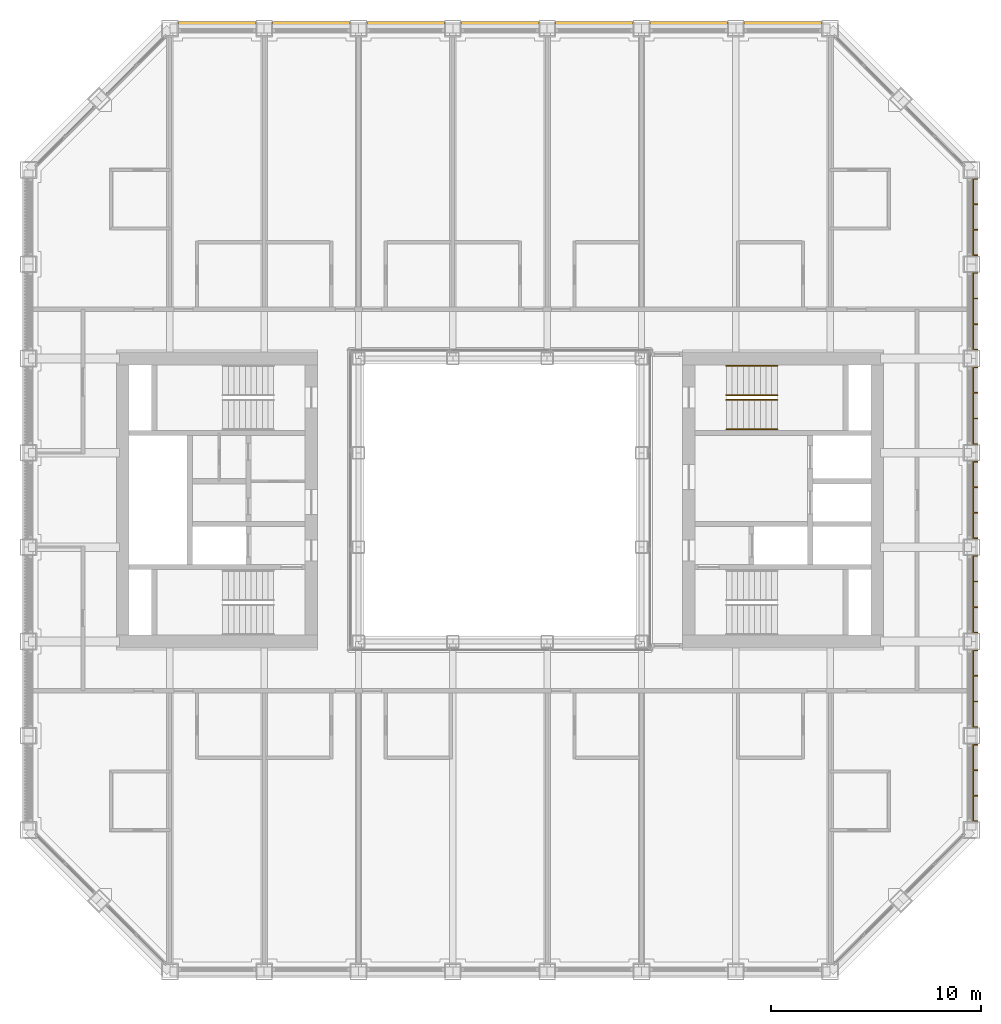
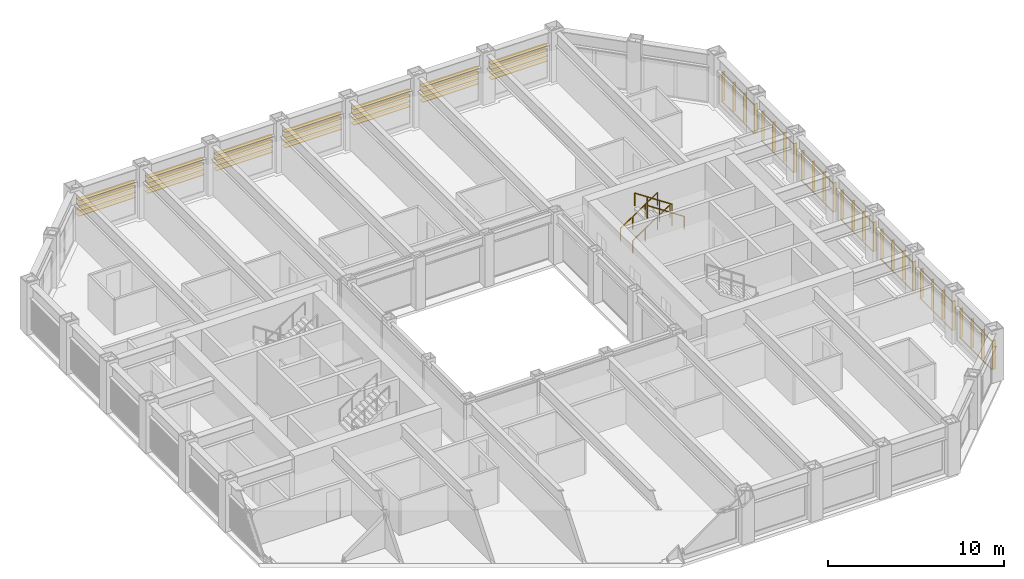
# One storey, part 17 of 17: 4 railings, 2 shading devices.
"""IFC4 building model written with IfcOpenShell, lengths in metres."""

from ifc_helpers import new_model, si_unit, direction, frame, origin, origin_2d, place, context, subcontext, project, spatial, rectangle, circle, extrude, material, type_object, element, save


model = new_model("IFC4")

# Units and contexts
model_context = context("Model", 3, precision=1e-05, world=origin(), true_north=direction((0.0, 1.0)))
body_context = subcontext(model_context, "Body", "Model", "MODEL_VIEW")
ifc_project = project(units=[si_unit("LENGTHUNIT", "METRE"), si_unit("AREAUNIT", "SQUARE_METRE"), si_unit("VOLUMEUNIT", "CUBIC_METRE"), si_unit("PLANEANGLEUNIT", "RADIAN"), si_unit("MASSUNIT", "GRAM", prefix="KILO")], contexts=[model_context])

# Site, building, storey
site_placement = place(None, origin())
site = spatial("IfcSite", under=ifc_project, at=site_placement, CompositionType="ELEMENT")
building_placement = place(site_placement, origin())
building = spatial("IfcBuilding", under=site, at=building_placement, Name="Msasa Ring Tower", CompositionType="ELEMENT")
storey_placement = place(building_placement, frame((0.0, 0.0, 147.199951171875)))
storey = spatial("IfcBuildingStorey", under=building, at=storey_placement, Name="L38", CompositionType="ELEMENT", Elevation=147.199951171875)

# Shading device
ifc_material_1 = material(Name="Extruded terracotta on aluminium carriers", Category="masonry")
shading_device_type_1 = type_object("IfcShadingDeviceType", Name="BS2 TERRACOTTA FIN SCREEN 40x200 AT 1350", PredefinedType="USERDEFINED", material=ifc_material_1)
shading_device_1_placement = place(storey_placement, origin())
element("IfcShadingDevice", 1, at=shading_device_1_placement, inside=storey, type_object=shading_device_type_1, Name="Terracotta fin screen E L38", ObjectType="BAGUETTE", PredefinedType="USERDEFINED", context=body_context, shape_type="SweptSolid", body=[
    extrude(rectangle(XDim=0.06005859375, YDim=0.0400390625, at=origin_2d()), frame((22.580078125, -15.35009765625, 0.330078125), z_axis=(0.0, 1.0, 0.0), x_axis=(0.0, 0.0, 1.0)), (0.0, 0.0, 1.0), 3.699951171875),
    extrude(rectangle(XDim=0.06005859375, YDim=0.0400390625, at=origin_2d()), frame((22.580078125, -15.35009765625, 2.299072265625), z_axis=(0.0, 1.0, 0.0), x_axis=(0.0, 0.0, 1.0)), (0.0, 0.0, 1.0), 3.699951171875),
    extrude(rectangle(XDim=0.0400390625, YDim=0.199951171875, at=origin_2d()), frame((22.695068359375, -15.330078125, 0.300048828125), z_axis=(0.0, 0.0, 1.0), x_axis=(0.0, 1.0, 0.0)), (0.0, 0.0, 1.0), 2.029052734375),
    extrude(rectangle(XDim=0.0400390625, YDim=0.199951171875, at=origin_2d()), frame((22.695068359375, -14.110107421875, 0.300048828125), z_axis=(0.0, 0.0, 1.0), x_axis=(0.0, 1.0, 0.0)), (0.0, 0.0, 1.0), 2.029052734375),
    extrude(rectangle(XDim=0.0400390625, YDim=0.199951171875, at=origin_2d()), frame((22.695068359375, -12.889892578125, 0.300048828125), z_axis=(0.0, 0.0, 1.0), x_axis=(0.0, 1.0, 0.0)), (0.0, 0.0, 1.0), 2.029052734375),
    extrude(rectangle(XDim=0.0400390625, YDim=0.199951171875, at=origin_2d()), frame((22.695068359375, -11.669921875, 0.300048828125), z_axis=(0.0, 0.0, 1.0), x_axis=(0.0, 1.0, 0.0)), (0.0, 0.0, 1.0), 2.029052734375),
    extrude(rectangle(XDim=0.06005859375, YDim=0.0400390625, at=origin_2d()), frame((22.580078125, -10.85009765625, 0.330078125), z_axis=(0.0, 1.0, 0.0), x_axis=(0.0, 0.0, 1.0)), (0.0, 0.0, 1.0), 3.699951171875),
    extrude(rectangle(XDim=0.06005859375, YDim=0.0400390625, at=origin_2d()), frame((22.580078125, -10.85009765625, 2.299072265625), z_axis=(0.0, 1.0, 0.0), x_axis=(0.0, 0.0, 1.0)), (0.0, 0.0, 1.0), 3.699951171875),
    extrude(rectangle(XDim=0.0400390625, YDim=0.199951171875, at=origin_2d()), frame((22.695068359375, -10.830078125, 0.300048828125), z_axis=(0.0, 0.0, 1.0), x_axis=(0.0, 1.0, 0.0)), (0.0, 0.0, 1.0), 2.029052734375),
    extrude(rectangle(XDim=0.0400390625, YDim=0.199951171875, at=origin_2d()), frame((22.695068359375, -9.610107421875, 0.300048828125), z_axis=(0.0, 0.0, 1.0), x_axis=(0.0, 1.0, 0.0)), (0.0, 0.0, 1.0), 2.029052734375),
    extrude(rectangle(XDim=0.0400390625, YDim=0.199951171875, at=origin_2d()), frame((22.695068359375, -8.389892578125, 0.300048828125), z_axis=(0.0, 0.0, 1.0), x_axis=(0.0, 1.0, 0.0)), (0.0, 0.0, 1.0), 2.029052734375),
    extrude(rectangle(XDim=0.0400390625, YDim=0.199951171875, at=origin_2d()), frame((22.695068359375, -7.169921875, 0.300048828125), z_axis=(0.0, 0.0, 1.0), x_axis=(0.0, 1.0, 0.0)), (0.0, 0.0, 1.0), 2.029052734375),
    extrude(rectangle(XDim=0.06005859375, YDim=0.0400390625, at=origin_2d()), frame((22.580078125, -6.35009765625, 0.330078125), z_axis=(0.0, 1.0, 0.0), x_axis=(0.0, 0.0, 1.0)), (0.0, 0.0, 1.0), 3.699951171875),
    extrude(rectangle(XDim=0.06005859375, YDim=0.0400390625, at=origin_2d()), frame((22.580078125, -6.35009765625, 2.299072265625), z_axis=(0.0, 1.0, 0.0), x_axis=(0.0, 0.0, 1.0)), (0.0, 0.0, 1.0), 3.699951171875),
    extrude(rectangle(XDim=0.0400390625, YDim=0.199951171875, at=origin_2d()), frame((22.695068359375, -6.330078125, 0.300048828125), z_axis=(0.0, 0.0, 1.0), x_axis=(0.0, 1.0, 0.0)), (0.0, 0.0, 1.0), 2.029052734375),
    extrude(rectangle(XDim=0.0400390625, YDim=0.199951171875, at=origin_2d()), frame((22.695068359375, -5.110107421875, 0.300048828125), z_axis=(0.0, 0.0, 1.0), x_axis=(0.0, 1.0, 0.0)), (0.0, 0.0, 1.0), 2.029052734375),
    extrude(rectangle(XDim=0.0400390625, YDim=0.199951171875, at=origin_2d()), frame((22.695068359375, -3.889892578125, 0.300048828125), z_axis=(0.0, 0.0, 1.0), x_axis=(0.0, 1.0, 0.0)), (0.0, 0.0, 1.0), 2.029052734375),
    extrude(rectangle(XDim=0.0400390625, YDim=0.199951171875, at=origin_2d()), frame((22.695068359375, -2.669921875, 0.300048828125), z_axis=(0.0, 0.0, 1.0), x_axis=(0.0, 1.0, 0.0)), (0.0, 0.0, 1.0), 2.029052734375),
    extrude(rectangle(XDim=0.06005859375, YDim=0.0400390625, at=origin_2d()), frame((22.580078125, -1.85009765625, 0.330078125), z_axis=(0.0, 1.0, 0.0), x_axis=(0.0, 0.0, 1.0)), (0.0, 0.0, 1.0), 3.699951171875),
    extrude(rectangle(XDim=0.06005859375, YDim=0.0400390625, at=origin_2d()), frame((22.580078125, -1.85009765625, 2.299072265625), z_axis=(0.0, 1.0, 0.0), x_axis=(0.0, 0.0, 1.0)), (0.0, 0.0, 1.0), 3.699951171875),
    extrude(rectangle(XDim=0.0400390625, YDim=0.199951171875, at=origin_2d()), frame((22.695068359375, -1.830078125, 0.300048828125), z_axis=(0.0, 0.0, 1.0), x_axis=(0.0, 1.0, 0.0)), (0.0, 0.0, 1.0), 2.029052734375),
    extrude(rectangle(XDim=0.0400390625, YDim=0.199951171875, at=origin_2d()), frame((22.695068359375, -0.610107421875, 0.300048828125), z_axis=(0.0, 0.0, 1.0), x_axis=(0.0, 1.0, 0.0)), (0.0, 0.0, 1.0), 2.029052734375),
    extrude(rectangle(XDim=0.0400390625, YDim=0.199951171875, at=origin_2d()), frame((22.695068359375, 0.610107421875, 0.300048828125), z_axis=(0.0, 0.0, 1.0), x_axis=(0.0, 1.0, 0.0)), (0.0, 0.0, 1.0), 2.029052734375),
    extrude(rectangle(XDim=0.0400390625, YDim=0.199951171875, at=origin_2d()), frame((22.695068359375, 1.830078125, 0.300048828125), z_axis=(0.0, 0.0, 1.0), x_axis=(0.0, 1.0, 0.0)), (0.0, 0.0, 1.0), 2.029052734375),
    extrude(rectangle(XDim=0.06005859375, YDim=0.0400390625, at=origin_2d()), frame((22.580078125, 2.64990234375, 0.330078125), z_axis=(0.0, 1.0, 0.0), x_axis=(0.0, 0.0, 1.0)), (0.0, 0.0, 1.0), 3.699951171875),
    extrude(rectangle(XDim=0.06005859375, YDim=0.0400390625, at=origin_2d()), frame((22.580078125, 2.64990234375, 2.299072265625), z_axis=(0.0, 1.0, 0.0), x_axis=(0.0, 0.0, 1.0)), (0.0, 0.0, 1.0), 3.699951171875),
    extrude(rectangle(XDim=0.0400390625, YDim=0.199951171875, at=origin_2d()), frame((22.695068359375, 2.669921875, 0.300048828125), z_axis=(0.0, 0.0, 1.0), x_axis=(0.0, 1.0, 0.0)), (0.0, 0.0, 1.0), 2.029052734375),
    extrude(rectangle(XDim=0.0400390625, YDim=0.199951171875, at=origin_2d()), frame((22.695068359375, 3.889892578125, 0.300048828125), z_axis=(0.0, 0.0, 1.0), x_axis=(0.0, 1.0, 0.0)), (0.0, 0.0, 1.0), 2.029052734375),
    extrude(rectangle(XDim=0.0400390625, YDim=0.199951171875, at=origin_2d()), frame((22.695068359375, 5.110107421875, 0.300048828125), z_axis=(0.0, 0.0, 1.0), x_axis=(0.0, 1.0, 0.0)), (0.0, 0.0, 1.0), 2.029052734375),
    extrude(rectangle(XDim=0.0400390625, YDim=0.199951171875, at=origin_2d()), frame((22.695068359375, 6.330078125, 0.300048828125), z_axis=(0.0, 0.0, 1.0), x_axis=(0.0, 1.0, 0.0)), (0.0, 0.0, 1.0), 2.029052734375),
    extrude(rectangle(XDim=0.06005859375, YDim=0.0400390625, at=origin_2d()), frame((22.580078125, 7.14990234375, 0.330078125), z_axis=(0.0, 1.0, 0.0), x_axis=(0.0, 0.0, 1.0)), (0.0, 0.0, 1.0), 3.699951171875),
    extrude(rectangle(XDim=0.06005859375, YDim=0.0400390625, at=origin_2d()), frame((22.580078125, 7.14990234375, 2.299072265625), z_axis=(0.0, 1.0, 0.0), x_axis=(0.0, 0.0, 1.0)), (0.0, 0.0, 1.0), 3.699951171875),
    extrude(rectangle(XDim=0.0400390625, YDim=0.199951171875, at=origin_2d()), frame((22.695068359375, 7.169921875, 0.300048828125), z_axis=(0.0, 0.0, 1.0), x_axis=(0.0, 1.0, 0.0)), (0.0, 0.0, 1.0), 2.029052734375),
    extrude(rectangle(XDim=0.0400390625, YDim=0.199951171875, at=origin_2d()), frame((22.695068359375, 8.389892578125, 0.300048828125), z_axis=(0.0, 0.0, 1.0), x_axis=(0.0, 1.0, 0.0)), (0.0, 0.0, 1.0), 2.029052734375),
    extrude(rectangle(XDim=0.0400390625, YDim=0.199951171875, at=origin_2d()), frame((22.695068359375, 9.610107421875, 0.300048828125), z_axis=(0.0, 0.0, 1.0), x_axis=(0.0, 1.0, 0.0)), (0.0, 0.0, 1.0), 2.029052734375),
    extrude(rectangle(XDim=0.0400390625, YDim=0.199951171875, at=origin_2d()), frame((22.695068359375, 10.830078125, 0.300048828125), z_axis=(0.0, 0.0, 1.0), x_axis=(0.0, 1.0, 0.0)), (0.0, 0.0, 1.0), 2.029052734375),
    extrude(rectangle(XDim=0.06005859375, YDim=0.0400390625, at=origin_2d()), frame((22.580078125, 11.64990234375, 0.330078125), z_axis=(0.0, 1.0, 0.0), x_axis=(0.0, 0.0, 1.0)), (0.0, 0.0, 1.0), 3.699951171875),
    extrude(rectangle(XDim=0.06005859375, YDim=0.0400390625, at=origin_2d()), frame((22.580078125, 11.64990234375, 2.299072265625), z_axis=(0.0, 1.0, 0.0), x_axis=(0.0, 0.0, 1.0)), (0.0, 0.0, 1.0), 3.699951171875),
    extrude(rectangle(XDim=0.0400390625, YDim=0.199951171875, at=origin_2d()), frame((22.695068359375, 11.669921875, 0.300048828125), z_axis=(0.0, 0.0, 1.0), x_axis=(0.0, 1.0, 0.0)), (0.0, 0.0, 1.0), 2.029052734375),
    extrude(rectangle(XDim=0.0400390625, YDim=0.199951171875, at=origin_2d()), frame((22.695068359375, 12.889892578125, 0.300048828125), z_axis=(0.0, 0.0, 1.0), x_axis=(0.0, 1.0, 0.0)), (0.0, 0.0, 1.0), 2.029052734375),
    extrude(rectangle(XDim=0.0400390625, YDim=0.199951171875, at=origin_2d()), frame((22.695068359375, 14.110107421875, 0.300048828125), z_axis=(0.0, 0.0, 1.0), x_axis=(0.0, 1.0, 0.0)), (0.0, 0.0, 1.0), 2.029052734375),
    extrude(rectangle(XDim=0.0400390625, YDim=0.199951171875, at=origin_2d()), frame((22.695068359375, 15.330078125, 0.300048828125), z_axis=(0.0, 0.0, 1.0), x_axis=(0.0, 1.0, 0.0)), (0.0, 0.0, 1.0), 2.029052734375),
])

# Railings
ifc_material_2 = material(Name="Stainless steel", Category="steel")
railing_type = type_object("IfcRailingType", Name="HR1 HANDRAIL 900", PredefinedType="HANDRAIL", material=ifc_material_2)
for number, where, name in (
    (2, (10.800048828125, 5.0, 0.179931640625), "Handrail stair SEB L38 1"),
    (3, (10.800048828125, 6.39990234375, 0.179931640625), "Handrail stair SEB L38 2"),
):
    element("IfcRailing", number, at=place(storey_placement, frame(where)), inside=storey, type_object=railing_type, Name=name, PredefinedType="HANDRAIL", context=body_context, shape_type="SweptSolid", body=[
        extrude(circle(Radius=0.02392578125, at=origin_2d()), frame((0.0, 0.0, 0.8759765625), z_axis=(0.832024571796, 0.0, 0.554738778101), x_axis=(0.0, 1.0, 0.0)), (0.0, 0.0, 1.0), 2.92041015625),
        extrude(circle(Radius=0.02099609375, at=origin_2d()), origin(), (0.0, 0.0, 1.0), 0.851806640625),
        extrude(circle(Radius=0.02099609375, at=origin_2d()), frame((0.81005859375, 0.0, 0.5400390625)), (0.0, 0.0, 1.0), 0.851806640625),
        extrude(circle(Radius=0.02099609375, at=origin_2d()), frame((1.619873046875, 0.0, 1.080078125)), (0.0, 0.0, 1.0), 0.851806640625),
        extrude(circle(Radius=0.02099609375, at=origin_2d()), frame((2.429931640625, 0.0, 1.6201171875)), (0.0, 0.0, 1.0), 0.851806640625),
    ])
for number, where, name in (
    (4, (13.22998046875, 3.375, 1.97998046875), "Handrail stair SEB L38 3"),
    (5, (13.22998046875, 4.77490234375, 1.97998046875), "Handrail stair SEB L38 4"),
):
    element("IfcRailing", number, at=place(storey_placement, frame(where)), inside=storey, type_object=railing_type, Name=name, PredefinedType="HANDRAIL", context=body_context, shape_type="SweptSolid", body=[
        extrude(circle(Radius=0.02392578125, at=origin_2d()), frame((0.0, 0.0, 0.8759765625), z_axis=(-0.832024571796, 0.0, 0.554738778101), x_axis=(0.0, -1.0, 0.0)), (0.0, 0.0, 1.0), 2.92041015625),
        extrude(circle(Radius=0.02099609375, at=origin_2d()), origin(), (0.0, 0.0, 1.0), 0.851806640625),
        extrude(circle(Radius=0.02099609375, at=origin_2d()), frame((-0.81005859375, 0.0, 0.5400390625)), (0.0, 0.0, 1.0), 0.851806640625),
        extrude(circle(Radius=0.02099609375, at=origin_2d()), frame((-1.619873046875, 0.0, 1.080078125)), (0.0, 0.0, 1.0), 0.851806640625),
        extrude(circle(Radius=0.02099609375, at=origin_2d()), frame((-2.429931640625, 0.0, 1.6201171875)), (0.0, 0.0, 1.0), 0.851806640625),
    ])

# Shading device
ifc_material_3 = material(Name="Extruded terracotta blades", Category="masonry")
shading_device_type_2 = type_object("IfcShadingDeviceType", Name="SS1 TERRACOTTA SUNSHADE 4 BLADES 300x40 AT 350", PredefinedType="USERDEFINED", material=ifc_material_3)
shading_device_2_placement = place(storey_placement, origin())
element("IfcShadingDevice", 6, at=shading_device_2_placement, inside=storey, type_object=shading_device_type_2, Name="Terracotta sunshade N L38", ObjectType="SUNSHADE", PredefinedType="USERDEFINED", context=body_context, shape_type="SweptSolid", body=[
    extrude(rectangle(XDim=0.0400390625, YDim=0.300048828125, at=origin_2d()), frame((-15.35009765625, 22.679931640625, 2.30908203125), z_axis=(1.0, 0.0, 0.0), x_axis=(0.0, 0.0, 1.0)), (0.0, 0.0, 1.0), 3.699951171875),
    extrude(rectangle(XDim=0.0400390625, YDim=0.300048828125, at=origin_2d()), frame((-15.35009765625, 22.679931640625, 1.958984375), z_axis=(1.0, 0.0, 0.0), x_axis=(0.0, 0.0, 1.0)), (0.0, 0.0, 1.0), 3.699951171875),
    extrude(rectangle(XDim=0.0400390625, YDim=0.300048828125, at=origin_2d()), frame((-15.35009765625, 22.679931640625, 1.609130859375), z_axis=(1.0, 0.0, 0.0), x_axis=(0.0, 0.0, 1.0)), (0.0, 0.0, 1.0), 3.699951171875),
    extrude(rectangle(XDim=0.0400390625, YDim=0.300048828125, at=origin_2d()), frame((-15.35009765625, 22.679931640625, 1.259033203125), z_axis=(1.0, 0.0, 0.0), x_axis=(0.0, 0.0, 1.0)), (0.0, 0.0, 1.0), 3.699951171875),
    extrude(rectangle(XDim=0.0400390625, YDim=0.300048828125, at=origin_2d()), frame((-10.85009765625, 22.679931640625, 2.30908203125), z_axis=(1.0, 0.0, 0.0), x_axis=(0.0, 0.0, 1.0)), (0.0, 0.0, 1.0), 3.699951171875),
    extrude(rectangle(XDim=0.0400390625, YDim=0.300048828125, at=origin_2d()), frame((-10.85009765625, 22.679931640625, 1.958984375), z_axis=(1.0, 0.0, 0.0), x_axis=(0.0, 0.0, 1.0)), (0.0, 0.0, 1.0), 3.699951171875),
    extrude(rectangle(XDim=0.0400390625, YDim=0.300048828125, at=origin_2d()), frame((-10.85009765625, 22.679931640625, 1.609130859375), z_axis=(1.0, 0.0, 0.0), x_axis=(0.0, 0.0, 1.0)), (0.0, 0.0, 1.0), 3.699951171875),
    extrude(rectangle(XDim=0.0400390625, YDim=0.300048828125, at=origin_2d()), frame((-10.85009765625, 22.679931640625, 1.259033203125), z_axis=(1.0, 0.0, 0.0), x_axis=(0.0, 0.0, 1.0)), (0.0, 0.0, 1.0), 3.699951171875),
    extrude(rectangle(XDim=0.0400390625, YDim=0.300048828125, at=origin_2d()), frame((-6.35009765625, 22.679931640625, 2.30908203125), z_axis=(1.0, 0.0, 0.0), x_axis=(0.0, 0.0, 1.0)), (0.0, 0.0, 1.0), 3.699951171875),
    extrude(rectangle(XDim=0.0400390625, YDim=0.300048828125, at=origin_2d()), frame((-6.35009765625, 22.679931640625, 1.958984375), z_axis=(1.0, 0.0, 0.0), x_axis=(0.0, 0.0, 1.0)), (0.0, 0.0, 1.0), 3.699951171875),
    extrude(rectangle(XDim=0.0400390625, YDim=0.300048828125, at=origin_2d()), frame((-6.35009765625, 22.679931640625, 1.609130859375), z_axis=(1.0, 0.0, 0.0), x_axis=(0.0, 0.0, 1.0)), (0.0, 0.0, 1.0), 3.699951171875),
    extrude(rectangle(XDim=0.0400390625, YDim=0.300048828125, at=origin_2d()), frame((-6.35009765625, 22.679931640625, 1.259033203125), z_axis=(1.0, 0.0, 0.0), x_axis=(0.0, 0.0, 1.0)), (0.0, 0.0, 1.0), 3.699951171875),
    extrude(rectangle(XDim=0.0400390625, YDim=0.300048828125, at=origin_2d()), frame((-1.85009765625, 22.679931640625, 2.30908203125), z_axis=(1.0, 0.0, 0.0), x_axis=(0.0, 0.0, 1.0)), (0.0, 0.0, 1.0), 3.699951171875),
    extrude(rectangle(XDim=0.0400390625, YDim=0.300048828125, at=origin_2d()), frame((-1.85009765625, 22.679931640625, 1.958984375), z_axis=(1.0, 0.0, 0.0), x_axis=(0.0, 0.0, 1.0)), (0.0, 0.0, 1.0), 3.699951171875),
    extrude(rectangle(XDim=0.0400390625, YDim=0.300048828125, at=origin_2d()), frame((-1.85009765625, 22.679931640625, 1.609130859375), z_axis=(1.0, 0.0, 0.0), x_axis=(0.0, 0.0, 1.0)), (0.0, 0.0, 1.0), 3.699951171875),
    extrude(rectangle(XDim=0.0400390625, YDim=0.300048828125, at=origin_2d()), frame((-1.85009765625, 22.679931640625, 1.259033203125), z_axis=(1.0, 0.0, 0.0), x_axis=(0.0, 0.0, 1.0)), (0.0, 0.0, 1.0), 3.699951171875),
    extrude(rectangle(XDim=0.0400390625, YDim=0.300048828125, at=origin_2d()), frame((2.64990234375, 22.679931640625, 2.30908203125), z_axis=(1.0, 0.0, 0.0), x_axis=(0.0, 0.0, 1.0)), (0.0, 0.0, 1.0), 3.699951171875),
    extrude(rectangle(XDim=0.0400390625, YDim=0.300048828125, at=origin_2d()), frame((2.64990234375, 22.679931640625, 1.958984375), z_axis=(1.0, 0.0, 0.0), x_axis=(0.0, 0.0, 1.0)), (0.0, 0.0, 1.0), 3.699951171875),
    extrude(rectangle(XDim=0.0400390625, YDim=0.300048828125, at=origin_2d()), frame((2.64990234375, 22.679931640625, 1.609130859375), z_axis=(1.0, 0.0, 0.0), x_axis=(0.0, 0.0, 1.0)), (0.0, 0.0, 1.0), 3.699951171875),
    extrude(rectangle(XDim=0.0400390625, YDim=0.300048828125, at=origin_2d()), frame((2.64990234375, 22.679931640625, 1.259033203125), z_axis=(1.0, 0.0, 0.0), x_axis=(0.0, 0.0, 1.0)), (0.0, 0.0, 1.0), 3.699951171875),
    extrude(rectangle(XDim=0.0400390625, YDim=0.300048828125, at=origin_2d()), frame((7.14990234375, 22.679931640625, 2.30908203125), z_axis=(1.0, 0.0, 0.0), x_axis=(0.0, 0.0, 1.0)), (0.0, 0.0, 1.0), 3.699951171875),
    extrude(rectangle(XDim=0.0400390625, YDim=0.300048828125, at=origin_2d()), frame((7.14990234375, 22.679931640625, 1.958984375), z_axis=(1.0, 0.0, 0.0), x_axis=(0.0, 0.0, 1.0)), (0.0, 0.0, 1.0), 3.699951171875),
    extrude(rectangle(XDim=0.0400390625, YDim=0.300048828125, at=origin_2d()), frame((7.14990234375, 22.679931640625, 1.609130859375), z_axis=(1.0, 0.0, 0.0), x_axis=(0.0, 0.0, 1.0)), (0.0, 0.0, 1.0), 3.699951171875),
    extrude(rectangle(XDim=0.0400390625, YDim=0.300048828125, at=origin_2d()), frame((7.14990234375, 22.679931640625, 1.259033203125), z_axis=(1.0, 0.0, 0.0), x_axis=(0.0, 0.0, 1.0)), (0.0, 0.0, 1.0), 3.699951171875),
    extrude(rectangle(XDim=0.0400390625, YDim=0.300048828125, at=origin_2d()), frame((11.64990234375, 22.679931640625, 2.30908203125), z_axis=(1.0, 0.0, 0.0), x_axis=(0.0, 0.0, 1.0)), (0.0, 0.0, 1.0), 3.699951171875),
    extrude(rectangle(XDim=0.0400390625, YDim=0.300048828125, at=origin_2d()), frame((11.64990234375, 22.679931640625, 1.958984375), z_axis=(1.0, 0.0, 0.0), x_axis=(0.0, 0.0, 1.0)), (0.0, 0.0, 1.0), 3.699951171875),
    extrude(rectangle(XDim=0.0400390625, YDim=0.300048828125, at=origin_2d()), frame((11.64990234375, 22.679931640625, 1.609130859375), z_axis=(1.0, 0.0, 0.0), x_axis=(0.0, 0.0, 1.0)), (0.0, 0.0, 1.0), 3.699951171875),
    extrude(rectangle(XDim=0.0400390625, YDim=0.300048828125, at=origin_2d()), frame((11.64990234375, 22.679931640625, 1.259033203125), z_axis=(1.0, 0.0, 0.0), x_axis=(0.0, 0.0, 1.0)), (0.0, 0.0, 1.0), 3.699951171875),
])

save(model, "model.ifc")
